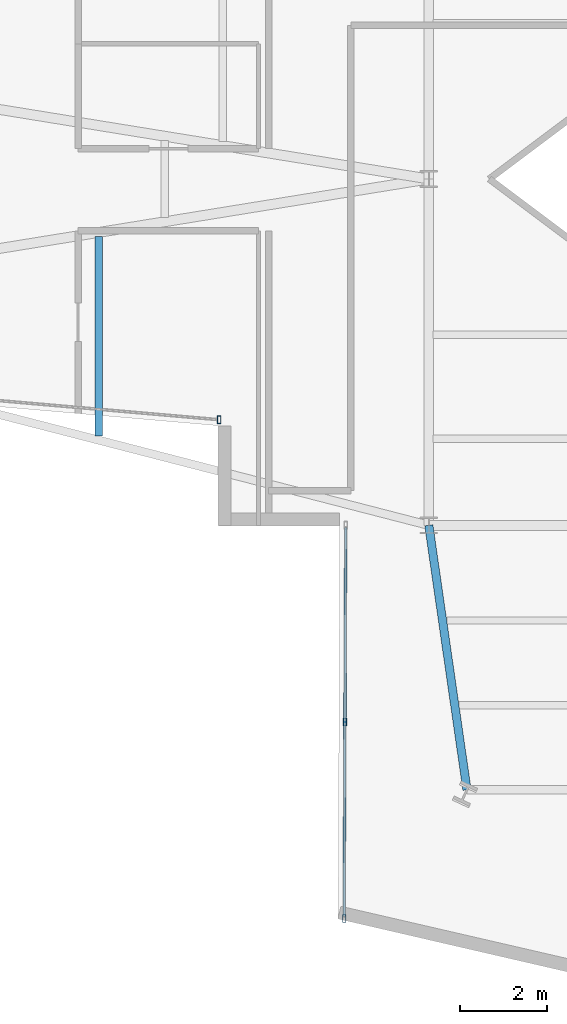
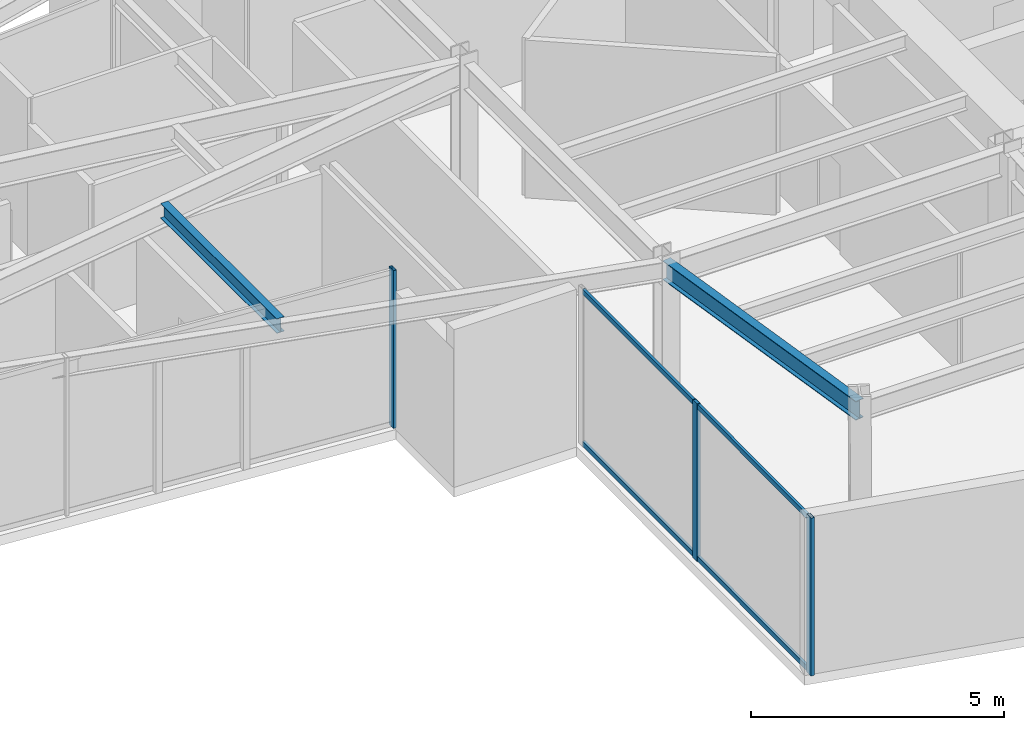
# One storey, part 4 of 23: 5 members, 2 beams, 2 elements without a shape of their own.
"""IFC4 building model written with IfcOpenShell, lengths in metres."""

from ifc_helpers import new_model, si_unit, direction, frame, origin, origin_2d, place, context, subcontext, project, spatial, hollow_rectangle, i_section, extrude, material, layer, layer_set, material_profile, profile_set, type_object, element, aggregate, save


model = new_model("IFC4")

# Units and contexts
model_context = context("Model", 3, precision=1e-05, world=origin(), true_north=direction((0.0, 1.0)))
body_context = subcontext(model_context, "Body", "Model", "MODEL_VIEW")
ifc_project = project(units=[si_unit("LENGTHUNIT", "METRE"), si_unit("AREAUNIT", "SQUARE_METRE"), si_unit("VOLUMEUNIT", "CUBIC_METRE"), si_unit("PLANEANGLEUNIT", "RADIAN"), si_unit("MASSUNIT", "GRAM", prefix="KILO")], contexts=[model_context])

# Site, building, storey
site_placement = place(None, origin())
site = spatial("IfcSite", under=ifc_project, at=site_placement, CompositionType="ELEMENT")
building_placement = place(site_placement, origin())
building = spatial("IfcBuilding", under=site, at=building_placement, Name="Veymaron Broadcast Tower", CompositionType="ELEMENT")
storey_placement = place(building_placement, frame((0.0, 0.0, 165.449951171875)))
storey = spatial("IfcBuildingStorey", under=building, at=storey_placement, Name="L38", CompositionType="ELEMENT", Elevation=165.449951171875)

# Beams
ifc_material_1 = material(Name="Structural steel ASTM A992 Gr 50", Category="steel")
ifc_material_profile_1 = material_profile(ifc_material_1, i_section(OverallWidth=0.1708984375, OverallDepth=0.35498046875, WebThickness=0.007080078125, FlangeThickness=0.01171875, at=origin_2d()), Name="W360X51")
ifc_profile_set_1 = profile_set([ifc_material_profile_1], Name="Structural steel ASTM A992 Gr 50")
beam_type_1 = type_object("IfcBeamType", Name="BM-JS2", PredefinedType="JOIST", material=ifc_profile_set_1)
beam_1_placement = place(storey_placement, frame((23.578857421875, 18.06591796875, 3.632568359375), z_axis=(0.0, 1.0, 0.0), x_axis=(-1.0, 0.0, 0.0)))
element("IfcBeam", 1, at=beam_1_placement, inside=storey, type_object=beam_type_1, Name="L38 Arm-A secondary joist 2S", PredefinedType="JOIST", context=body_context, shape_type="SweptSolid", body=[
    extrude(i_section(OverallWidth=0.1708984375, OverallDepth=0.35498046875, WebThickness=0.007080078125, FlangeThickness=0.01171875, at=origin_2d()), origin(), (0.0, 0.0, 1.0), 4.60009765625),
])
ifc_material_profile_2 = material_profile(ifc_material_1, i_section(OverallWidth=0.19091796875, OverallDepth=0.4599609375, WebThickness=0.010009765625, FlangeThickness=0.01611328125, at=origin_2d()), Name="W460X82")
ifc_profile_set_2 = profile_set([ifc_material_profile_2], Name="Structural steel ASTM A992 Gr 50")
beam_type_2 = type_object("IfcBeamType", Name="BM-SP1", PredefinedType="SPANDREL", material=ifc_profile_set_2)
beam_2_placement = place(storey_placement, frame((31.199951171875, 16.0, 3.580078125), z_axis=(0.142882854536, -0.989739607109, 0.0), x_axis=(0.989739607109, 0.142882854536, 0.0)))
element("IfcBeam", 2, at=beam_2_placement, inside=storey, type_object=beam_type_2, Name="L38 primary structural floor girder", PredefinedType="SPANDREL", context=body_context, shape_type="SweptSolid", body=[
    extrude(i_section(OverallWidth=0.19091796875, OverallDepth=0.4599609375, WebThickness=0.010009765625, FlangeThickness=0.01611328125, at=origin_2d()), origin(), (0.0, 0.0, 1.0), 6.17333984375),
])

# Curtain wall, member
ifc_material_2 = material(Name="Anodised aluminium AA 6063-T6 and laminated low-E dark glass", Category="aluminium")
ifc_layer = layer(ifc_material_2, 0.179931640625)
ifc_layer_set = layer_set([ifc_layer], Name="Anodised aluminium AA 6063-T6 and laminated low-E dark glass")
curtain_wall_type = type_object("IfcCurtainWallType", Name="CW-SYS-03", PredefinedType="NOTDEFINED", material=ifc_layer_set)
curtain_wall_1_placement = place(storey_placement, origin())
curtain_wall_1 = element("IfcCurtainWall", 3, at=curtain_wall_1_placement, inside=storey, type_object=curtain_wall_type, Name="L38 dark-glass curtain wall CW-L38-E14-1", PredefinedType="NOTDEFINED")
ifc_material_3 = material(Name="Anodised aluminium AA 6063-T6", Category="aluminium")
ifc_material_profile_3 = material_profile(ifc_material_3, hollow_rectangle(XDim=0.074951171875, YDim=0.179931640625, WallThickness=0.0048828125, at=origin_2d()), Name="AL180X75X5")
ifc_profile_set_3 = profile_set([ifc_material_profile_3], Name="Anodised aluminium AA 6063-T6")
member_type_1 = type_object("IfcMemberType", Name="CW-MUL-02", PredefinedType="MULLION", material=ifc_profile_set_3)
member_1_placement = place(storey_placement, frame((26.356201171875, 18.439208984375, 0.0), z_axis=(0.0, 0.0, 1.0), x_axis=(1.0, 0.0, 0.0)))
member_1 = element("IfcMember", 4, at=member_1_placement, type_object=member_type_1, Name="CW-L38-E14-1 mullion 2", PredefinedType="MULLION", context=body_context, shape_type="SweptSolid", body=[
    extrude(hollow_rectangle(XDim=0.074951171875, YDim=0.179931640625, WallThickness=0.0048828125, at=origin_2d()), origin(), (0.0, 0.0, 1.0), 3.81005859375),
])
aggregate(curtain_wall_1, [member_1])

# Curtain wall, members
curtain_wall_2_placement = place(storey_placement, origin())
curtain_wall_2 = element("IfcCurtainWall", 5, at=curtain_wall_2_placement, inside=storey, type_object=curtain_wall_type, Name="L38 dark-glass curtain wall CW-L38-E17-1", PredefinedType="NOTDEFINED")
member_2_placement = place(storey_placement, frame((29.262451171875, 11.4580078125, 0.0), z_axis=(0.0, 0.0, 1.0), x_axis=(1.0, 0.0, 0.0)))
member_2 = element("IfcMember", 6, at=member_2_placement, type_object=member_type_1, Name="CW-L38-E17-1 mullion 1", PredefinedType="MULLION", context=body_context, shape_type="SweptSolid", body=[
    extrude(hollow_rectangle(XDim=0.074951171875, YDim=0.179931640625, WallThickness=0.0048828125, at=origin_2d()), origin(), (0.0, 0.0, 1.0), 3.81005859375),
])
member_3_placement = place(storey_placement, frame((29.244140625, 6.91650390625, 0.0), z_axis=(0.0, 0.0, 1.0), x_axis=(1.0, 0.0, 0.0)))
member_3 = element("IfcMember", 7, at=member_3_placement, type_object=member_type_1, Name="CW-L38-E17-1 mullion 2", PredefinedType="MULLION", context=body_context, shape_type="SweptSolid", body=[
    extrude(hollow_rectangle(XDim=0.074951171875, YDim=0.179931640625, WallThickness=0.0048828125, at=origin_2d()), origin(), (0.0, 0.0, 1.0), 3.81005859375),
])
ifc_material_profile_4 = material_profile(ifc_material_3, hollow_rectangle(XDim=0.06005859375, YDim=0.1201171875, WallThickness=0.00390625, at=origin_2d()), Name="AL120X60X4")
ifc_profile_set_4 = profile_set([ifc_material_profile_4], Name="Anodised aluminium AA 6063-T6")
member_type_2 = type_object("IfcMemberType", Name="CW-TRN-02", PredefinedType="USERDEFINED", material=ifc_profile_set_4)
member_4_placement = place(storey_placement, frame((29.280517578125, 15.949462890625, 0.070068359375), z_axis=(-0.004022253099, -0.999991910707, 0.0), x_axis=(0.999991910707, -0.004022253099, 0.0)))
member_4 = element("IfcMember", 8, at=member_4_placement, type_object=member_type_2, Name="CW-L38-E17-1 transom B", ObjectType="TRANSOM", PredefinedType="USERDEFINED", context=body_context, shape_type="SweptSolid", body=[
    extrude(hollow_rectangle(XDim=0.06005859375, YDim=0.1201171875, WallThickness=0.00390625, at=origin_2d()), origin(), (0.0, 0.0, 1.0), 8.983154296875),
])
member_5_placement = place(storey_placement, frame((29.280517578125, 15.949462890625, 3.739990234375), z_axis=(-0.004022253099, -0.999991910707, 0.0), x_axis=(0.999991910707, -0.004022253099, 0.0)))
member_5 = element("IfcMember", 9, at=member_5_placement, type_object=member_type_2, Name="CW-L38-E17-1 transom T", ObjectType="TRANSOM", PredefinedType="USERDEFINED", context=body_context, shape_type="SweptSolid", body=[
    extrude(hollow_rectangle(XDim=0.06005859375, YDim=0.1201171875, WallThickness=0.00390625, at=origin_2d()), origin(), (0.0, 0.0, 1.0), 8.983154296875),
])
aggregate(curtain_wall_2, [member_2, member_3, member_4, member_5])

save(model, "model.ifc")
